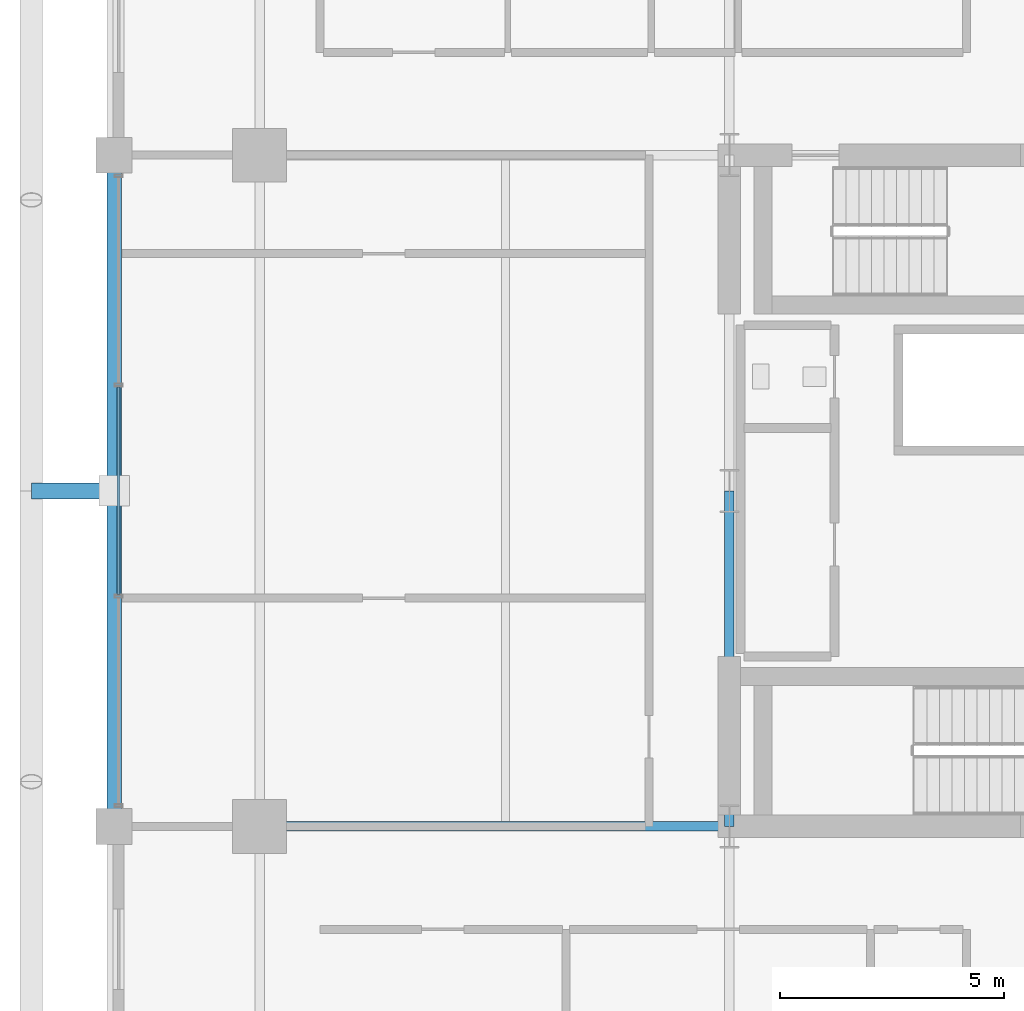
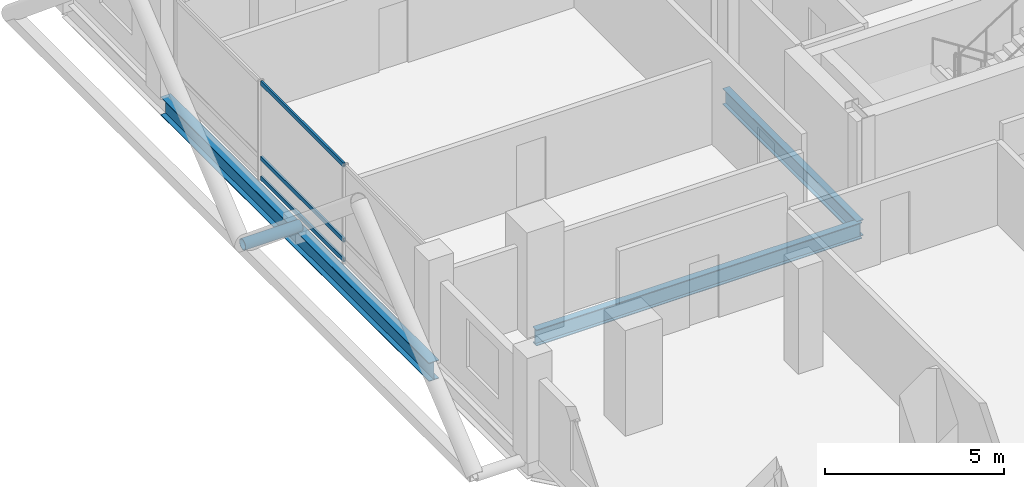
# One storey, part 6 of 25: 4 members, 3 beams, 1 element without a shape of its own.
"""IFC4 building model written with IfcOpenShell, lengths in metres."""

from ifc_helpers import new_model, si_unit, direction, frame, origin, origin_2d, place, context, subcontext, project, spatial, hollow_rectangle, hollow_circle, i_section, extrude, material, layer, layer_set, material_profile, profile_set, type_object, element, aggregate, save


model = new_model("IFC4")

# Units and contexts
model_context = context("Model", 3, precision=1e-05, world=origin(), true_north=direction((0.0, 1.0)))
body_context = subcontext(model_context, "Body", "Model", "MODEL_VIEW")
ifc_project = project(units=[si_unit("LENGTHUNIT", "METRE"), si_unit("AREAUNIT", "SQUARE_METRE"), si_unit("VOLUMEUNIT", "CUBIC_METRE"), si_unit("PLANEANGLEUNIT", "RADIAN"), si_unit("MASSUNIT", "GRAM", prefix="KILO")], contexts=[model_context])

# Site, building, storey
site_placement = place(None, origin())
site = spatial("IfcSite", under=ifc_project, at=site_placement, CompositionType="ELEMENT")
building_placement = place(site_placement, origin())
building = spatial("IfcBuilding", under=site, at=building_placement, Name="Barlavira Tower and Art Museum", CompositionType="ELEMENT")
storey_placement = place(building_placement, frame((0.0, 0.0, 144.0)))
storey = spatial("IfcBuildingStorey", under=building, at=storey_placement, Name="L36", CompositionType="ELEMENT", Elevation=144.0)

# Curtain wall, members
ifc_material_1 = material(Name="Low-iron coastal laminated glass", Category="glass")
ifc_layer = layer(ifc_material_1, 0.18994140625, Name="Low-iron coastal laminated glass")
ifc_layer_set = layer_set([ifc_layer], Name="Low-iron coastal laminated glass")
curtain_wall_type = type_object("IfcCurtainWallType", Name="Pale-Metal Unitised Curtain Wall Zone 2", PredefinedType="NOTDEFINED", material=ifc_layer_set)
curtain_wall_placement = place(storey_placement, origin())
curtain_wall = element("IfcCurtainWall", 1, at=curtain_wall_placement, inside=storey, type_object=curtain_wall_type, Name="L36 Curtain Wall CW2-L36-W-B3", PredefinedType="NOTDEFINED")
ifc_material_2 = material(Name="Pale anodised aluminium", Category="aluminium")
ifc_material_profile_1 = material_profile(ifc_material_2, hollow_rectangle(XDim=0.06494140625, YDim=0.139892578125, WallThickness=0.00390625, at=origin_2d()), Name="ALU-TRAN 65x140x4")
ifc_profile_set_1 = profile_set([ifc_material_profile_1], Name="Pale anodised aluminium")
member_type_1 = type_object("IfcMemberType", Name="Curtain Wall Pale-Metal Transom 65x140", PredefinedType="USERDEFINED", material=ifc_profile_set_1)
member_1_placement = place(storey_placement, frame((-20.14990234375, 2.31494140625, 0.070068359375), z_axis=(0.0, -1.0, 0.0), x_axis=(1.0, 0.0, 0.0)))
member_1 = element("IfcMember", 2, at=member_1_placement, type_object=member_type_1, Name="CW2-L36-W-B3 Transom 1.1", ObjectType="TRANSOM", PredefinedType="USERDEFINED", context=body_context, shape_type="SweptSolid", body=[
    extrude(hollow_rectangle(XDim=0.06494140625, YDim=0.139892578125, WallThickness=0.00390625, at=origin_2d()), origin(), (0.0, 0.0, 1.0), 4.6298828125),
])
member_2_placement = place(storey_placement, frame((-20.14990234375, 2.31494140625, 0.743896484375), z_axis=(0.0, -1.0, 0.0), x_axis=(1.0, 0.0, 0.0)))
member_2 = element("IfcMember", 3, at=member_2_placement, type_object=member_type_1, Name="CW2-L36-W-B3 Transom 1.2", ObjectType="TRANSOM", PredefinedType="USERDEFINED", context=body_context, shape_type="SweptSolid", body=[
    extrude(hollow_rectangle(XDim=0.06494140625, YDim=0.139892578125, WallThickness=0.00390625, at=origin_2d()), origin(), (0.0, 0.0, 1.0), 4.6298828125),
])
member_3_placement = place(storey_placement, frame((-20.14990234375, 2.31494140625, 3.31005859375), z_axis=(0.0, -1.0, 0.0), x_axis=(1.0, 0.0, 0.0)))
member_3 = element("IfcMember", 4, at=member_3_placement, type_object=member_type_1, Name="CW2-L36-W-B3 Transom 1.3", ObjectType="TRANSOM", PredefinedType="USERDEFINED", context=body_context, shape_type="SweptSolid", body=[
    extrude(hollow_rectangle(XDim=0.06494140625, YDim=0.139892578125, WallThickness=0.00390625, at=origin_2d()), origin(), (0.0, 0.0, 1.0), 4.6298828125),
])
aggregate(curtain_wall, [member_1, member_2, member_3])

# Member
ifc_material_3 = material(Name="Steel S355", Category="steel")
ifc_material_profile_2 = material_profile(ifc_material_3, hollow_circle(Radius=0.177734375, WallThickness=0.01611328125, at=origin_2d()), Name="CHS 355.6x16.0")
ifc_profile_set_2 = profile_set([ifc_material_profile_2], Name="Steel S355")
member_type_2 = type_object("IfcMemberType", Name="Pale-Metal Exoskeleton Tie Strut CHS 356x16 Steel S355", PredefinedType="STRUT", material=ifc_profile_set_2)
member_4_placement = place(storey_placement, frame((-22.10009765625, 0.0, -0.1201171875), z_axis=(1.0, 0.0, 0.0), x_axis=(0.0, 1.0, 0.0)))
element("IfcMember", 5, at=member_4_placement, inside=storey, type_object=member_type_2, Name="L36 Exoskeleton Tie Strut W2", PredefinedType="STRUT", context=body_context, shape_type="SweptSolid", body=[
    extrude(hollow_circle(Radius=0.177734375, WallThickness=0.01611328125, at=origin_2d()), origin(), (0.0, 0.0, 1.0), 1.85009765625),
])

# Beams
ifc_material_profile_3 = material_profile(ifc_material_3, i_section(OverallWidth=0.327880859375, OverallDepth=0.62890625, WebThickness=0.013916015625, FlangeThickness=0.021484375, at=origin_2d()), Name="W610x174.0")
ifc_profile_set_3 = profile_set([ifc_material_profile_3], Name="Steel S355")
beam_type_1 = type_object("IfcBeamType", Name="Perimeter Spandrel Edge Beam W610x174 Steel S355", PredefinedType="SPANDREL", material=ifc_profile_set_3)
beam_1_placement = place(storey_placement, frame((-20.25, -7.5, -0.534423828125), z_axis=(0.0, 1.0, 0.0), x_axis=(-1.0, 0.0, 0.0)))
element("IfcBeam", 6, at=beam_1_placement, inside=storey, type_object=beam_type_1, Name="L36 Spandrel 14", PredefinedType="SPANDREL", context=body_context, shape_type="SweptSolid", body=[
    extrude(i_section(OverallWidth=0.327880859375, OverallDepth=0.62890625, WebThickness=0.013916015625, FlangeThickness=0.021484375, at=origin_2d()), origin(), (0.0, 0.0, 1.0), 15.0),
])
ifc_material_profile_4 = material_profile(ifc_material_3, i_section(OverallWidth=0.214111328125, OverallDepth=0.549072265625, WebThickness=0.0146484375, FlangeThickness=0.023681640625, at=origin_2d()), Name="W530x138.0")
ifc_profile_set_4 = profile_set([ifc_material_profile_4], Name="Steel S355")
beam_type_2 = type_object("IfcBeamType", Name="Zone 1 Primary Floor Girder W530x138 Steel S355", PredefinedType="BEAM", material=ifc_profile_set_4)
beam_2_placement = place(storey_placement, frame((-6.5, -7.5, -0.494384765625), z_axis=(0.0, 1.0, 0.0), x_axis=(-1.0, 0.0, 0.0)))
element("IfcBeam", 7, at=beam_2_placement, inside=storey, type_object=beam_type_2, Name="L36 Girder C-W1", PredefinedType="BEAM", context=body_context, shape_type="SweptSolid", body=[
    extrude(i_section(OverallWidth=0.214111328125, OverallDepth=0.549072265625, WebThickness=0.0146484375, FlangeThickness=0.023681640625, at=origin_2d()), origin(), (0.0, 0.0, 1.0), 7.5),
])
beam_3_placement = place(storey_placement, frame((-17.0, -7.5, -0.494384765625), z_axis=(1.0, 0.0, 0.0), x_axis=(0.0, 1.0, 0.0)))
element("IfcBeam", 8, at=beam_3_placement, inside=storey, type_object=beam_type_2, Name="L36 Girder R-W1", PredefinedType="BEAM", context=body_context, shape_type="SweptSolid", body=[
    extrude(i_section(OverallWidth=0.214111328125, OverallDepth=0.549072265625, WebThickness=0.0146484375, FlangeThickness=0.023681640625, at=origin_2d()), origin(), (0.0, 0.0, 1.0), 10.5),
])

save(model, "model.ifc")
